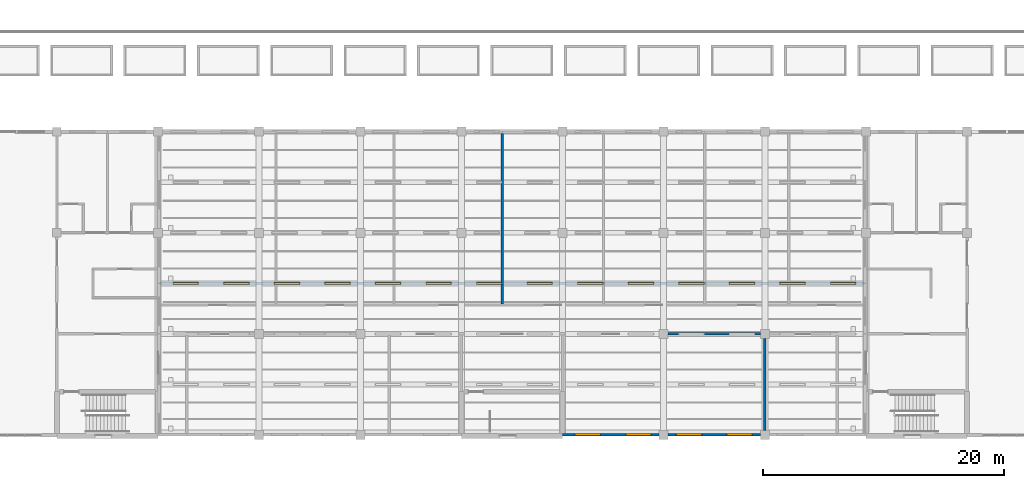
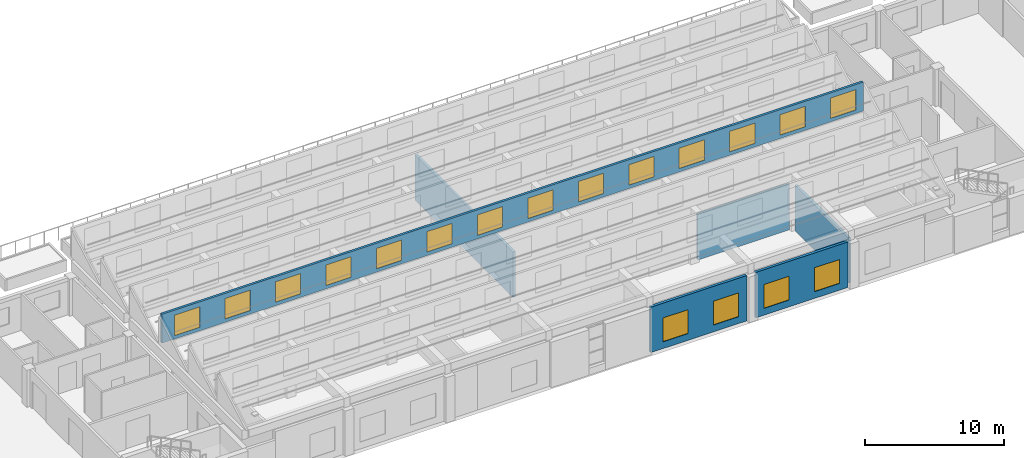
# One storey, part 35 of 61: 18 windows, 6 walls, 18 openings.
"""IFC4 building model written with IfcOpenShell, lengths in metres."""

from ifc_helpers import new_model, si_unit, direction, frame, frame_2d, origin, place, context, subcontext, project, spatial, rectangle, extrude, material, layer, layer_set, type_object, element, fill, save


model = new_model("IFC4")

# Units and contexts
model_context = context("Model", 3, precision=1e-05, world=origin(), true_north=direction((0.0, 1.0)))
body_context = subcontext(model_context, "Body", "Model", "MODEL_VIEW")
ifc_project = project(units=[si_unit("LENGTHUNIT", "METRE"), si_unit("AREAUNIT", "SQUARE_METRE"), si_unit("VOLUMEUNIT", "CUBIC_METRE"), si_unit("PLANEANGLEUNIT", "RADIAN"), si_unit("MASSUNIT", "GRAM", prefix="KILO")], contexts=[model_context])

# Site, building, storey
site_placement = place(None, origin())
site = spatial("IfcSite", under=ifc_project, at=site_placement, CompositionType="ELEMENT")
building_placement = place(site_placement, origin())
building = spatial("IfcBuilding", under=site, at=building_placement, Name="Yavir Park General Hospital", CompositionType="ELEMENT")
storey_placement = place(building_placement, frame((0.0, 0.0, 15.300048828125)))
storey = spatial("IfcBuildingStorey", under=building, at=storey_placement, Name="L03", CompositionType="ELEMENT", Elevation=15.300048828125)

# Walls
ifc_material_1 = material(Name="Double gypsum board fire partition on steel studs", Category="steel")
ifc_layer_1 = layer(ifc_material_1, 0.199951171875)
ifc_layer_set_1 = layer_set([ifc_layer_1], Name="Double gypsum board fire partition on steel studs")
wall_type_1 = type_object("IfcWallType", Name="Fire-rated partition 200, EI 60", PredefinedType="PARTITIONING", material=ifc_layer_set_1)
wall_1_placement = place(storey_placement, frame((84.375, 8.39990234375, 0.0), z_axis=(0.0, 0.0, 1.0), x_axis=(1.0, 0.0, 0.0)))
element("IfcWall", 1, at=wall_1_placement, inside=storey, type_object=wall_type_1, Name="FP20 L03-021", PredefinedType="PARTITIONING", context=body_context, shape_type="SweptSolid", body=[
    extrude(rectangle(XDim=7.64990234375, YDim=0.199951171875, at=frame_2d((3.824951171875, 0.0))), origin(), (0.0, 0.0, 1.0), 4.0),
])
wall_2_placement = place(storey_placement, frame((70.60009765625, 10.89990234375, 0.0), z_axis=(0.0, 0.0, 1.0), x_axis=(0.0, 1.0, 0.0)))
element("IfcWall", 2, at=wall_2_placement, inside=storey, type_object=wall_type_1, Name="FP20 L03-235", PredefinedType="PARTITIONING", context=body_context, shape_type="SweptSolid", body=[
    extrude(rectangle(XDim=14.150146484375, YDim=0.199951171875, at=frame_2d((7.0751953125, 0.0))), origin(), (0.0, 0.0, 1.0), 4.0),
])
wall_3_placement = place(storey_placement, frame((92.39990234375, 0.375, 0.0), z_axis=(0.0, 0.0, 1.0), x_axis=(0.0, 1.0, 0.0)))
element("IfcWall", 3, at=wall_3_placement, inside=storey, type_object=wall_type_1, Name="FP20 L03-240", PredefinedType="PARTITIONING", context=body_context, shape_type="SweptSolid", body=[
    extrude(rectangle(XDim=7.64990234375, YDim=0.199951171875, at=frame_2d((3.824951171875, 0.0))), origin(), (0.0, 0.0, 1.0), 4.0),
])

# Wall, openings, windows
ifc_material_2 = material(Name="Insulated sheet steel panels on a Steel S355 subframe", Category="steel")
ifc_layer_2 = layer(ifc_material_2, 0.22509765625)
ifc_layer_set_2 = layer_set([ifc_layer_2], Name="Insulated sheet steel panels on a Steel S355 subframe")
wall_type_2 = type_object("IfcWallType", Name="Louvred plant wall 225, E 30", PredefinedType="SOLIDWALL", material=ifc_layer_set_2)
wall_4_placement = place(storey_placement, frame((75.60009765625, 0.03759765625, 0.0), z_axis=(0.0, 0.0, 1.0), x_axis=(1.0, 0.0, 0.0)))
wall_4 = element("IfcWall", 4, at=wall_4_placement, inside=storey, type_object=wall_type_2, Name="XW4 L03-021", PredefinedType="SOLIDWALL", context=body_context, shape_type="SweptSolid", body=[
    extrude(rectangle(XDim=8.02490234375, YDim=0.22509765625, at=frame_2d((4.012451171875, 0.0))), origin(), (0.0, 0.0, 1.0), 4.0),
])
opening_1_placement = place(wall_4_placement, frame((1.050048828125, 0.0, 0.60009765625)))
opening_1 = element("IfcOpeningElement", 5, at=opening_1_placement, cuts=wall_4, Name="Opening LV2", PredefinedType="OPENING", context=body_context, shape_type="SweptSolid", body=[
    extrude(rectangle(XDim=2.10009765625, YDim=2.10009765625, at=frame_2d((1.050048828125, 1.050048828125))), frame((0.0, 0.12255859375, 0.0), z_axis=(0.0, -1.0, 0.0), x_axis=(1.0, 0.0, 0.0)), (0.0, 0.0, 1.0), 0.2451171875),
])
opening_2_placement = place(wall_4_placement, frame((5.25, 0.0, 0.60009765625)))
opening_2 = element("IfcOpeningElement", 6, at=opening_2_placement, cuts=wall_4, Name="Opening LV2", PredefinedType="OPENING", context=body_context, shape_type="SweptSolid", body=[
    extrude(rectangle(XDim=2.10009765625, YDim=2.10009765625, at=frame_2d((1.050048828125, 1.050048828125))), frame((0.0, 0.12255859375, 0.0), z_axis=(0.0, -1.0, 0.0), x_axis=(1.0, 0.0, 0.0)), (0.0, 0.0, 1.0), 0.2451171875),
])
ifc_material_3 = material(Name="Anodised aluminium louvre blades in a deep frame", Category="aluminium")
window_type_1 = type_object("IfcWindowType", Name="Tall plant louvre 2100 x 2100", PartitioningType="SINGLE_PANEL", PredefinedType="WINDOW", material=ifc_material_3)
window_1_placement = place(opening_1_placement, origin())
window_1 = element("IfcWindow", 7, at=window_1_placement, inside=storey, type_object=window_type_1, Name="LV2 L03-010", OverallHeight=2.10009765625, OverallWidth=2.10009765625, PartitioningType="SINGLE_PANEL", PredefinedType="WINDOW", context=body_context, shape_type="SweptSolid", body=[
    extrude(rectangle(XDim=2.10009765625, YDim=2.10009765625, at=frame_2d((1.050048828125, 1.050048828125))), frame((0.0, 0.074951171875, 0.0), z_axis=(0.0, -1.0, 0.0), x_axis=(1.0, 0.0, 0.0)), (0.0, 0.0, 1.0), 0.14990234375),
])
fill(opening_1, window_1)
window_2_placement = place(opening_2_placement, origin())
window_2 = element("IfcWindow", 8, at=window_2_placement, inside=storey, type_object=window_type_1, Name="LV2 L03-011", OverallHeight=2.10009765625, OverallWidth=2.10009765625, PartitioningType="SINGLE_PANEL", PredefinedType="WINDOW", context=body_context, shape_type="SweptSolid", body=[
    extrude(rectangle(XDim=2.10009765625, YDim=2.10009765625, at=frame_2d((1.050048828125, 1.050048828125))), frame((0.0, 0.074951171875, 0.0), z_axis=(0.0, -1.0, 0.0), x_axis=(1.0, 0.0, 0.0)), (0.0, 0.0, 1.0), 0.14990234375),
])
fill(opening_2, window_2)

wall_5_placement = place(storey_placement, frame((84.375, 0.03759765625, 0.0), z_axis=(0.0, 0.0, 1.0), x_axis=(1.0, 0.0, 0.0)))
wall_5 = element("IfcWall", 9, at=wall_5_placement, inside=storey, type_object=wall_type_2, Name="XW4 L03-022", PredefinedType="SOLIDWALL", context=body_context, shape_type="SweptSolid", body=[
    extrude(rectangle(XDim=7.64990234375, YDim=0.22509765625, at=frame_2d((3.824951171875, 0.0))), origin(), (0.0, 0.0, 1.0), 4.0),
])
opening_3_placement = place(wall_5_placement, frame((0.675048828125, 0.0, 0.60009765625)))
opening_3 = element("IfcOpeningElement", 10, at=opening_3_placement, cuts=wall_5, Name="Opening LV2", PredefinedType="OPENING", context=body_context, shape_type="SweptSolid", body=[
    extrude(rectangle(XDim=2.10009765625, YDim=2.10009765625, at=frame_2d((1.050048828125, 1.050048828125))), frame((0.0, 0.12255859375, 0.0), z_axis=(0.0, -1.0, 0.0), x_axis=(1.0, 0.0, 0.0)), (0.0, 0.0, 1.0), 0.2451171875),
])
opening_4_placement = place(wall_5_placement, frame((4.875, 0.0, 0.60009765625)))
opening_4 = element("IfcOpeningElement", 11, at=opening_4_placement, cuts=wall_5, Name="Opening LV2", PredefinedType="OPENING", context=body_context, shape_type="SweptSolid", body=[
    extrude(rectangle(XDim=2.10009765625, YDim=2.10009765625, at=frame_2d((1.050048828125, 1.050048828125))), frame((0.0, 0.12255859375, 0.0), z_axis=(0.0, -1.0, 0.0), x_axis=(1.0, 0.0, 0.0)), (0.0, 0.0, 1.0), 0.2451171875),
])
window_3_placement = place(opening_3_placement, origin())
window_3 = element("IfcWindow", 12, at=window_3_placement, inside=storey, type_object=window_type_1, Name="LV2 L03-012", OverallHeight=2.10009765625, OverallWidth=2.10009765625, PartitioningType="SINGLE_PANEL", PredefinedType="WINDOW", context=body_context, shape_type="SweptSolid", body=[
    extrude(rectangle(XDim=2.10009765625, YDim=2.10009765625, at=frame_2d((1.050048828125, 1.050048828125))), frame((0.0, 0.074951171875, 0.0), z_axis=(0.0, -1.0, 0.0), x_axis=(1.0, 0.0, 0.0)), (0.0, 0.0, 1.0), 0.14990234375),
])
fill(opening_3, window_3)
window_4_placement = place(opening_4_placement, origin())
window_4 = element("IfcWindow", 13, at=window_4_placement, inside=storey, type_object=window_type_1, Name="LV2 L03-013", OverallHeight=2.10009765625, OverallWidth=2.10009765625, PartitioningType="SINGLE_PANEL", PredefinedType="WINDOW", context=body_context, shape_type="SweptSolid", body=[
    extrude(rectangle(XDim=2.10009765625, YDim=2.10009765625, at=frame_2d((1.050048828125, 1.050048828125))), frame((0.0, 0.074951171875, 0.0), z_axis=(0.0, -1.0, 0.0), x_axis=(1.0, 0.0, 0.0)), (0.0, 0.0, 1.0), 0.14990234375),
])
fill(opening_4, window_4)

ifc_material_4 = material(Name="Concrete C30/37 upstand with 80 mm mineral wool insulation", Category="concrete")
ifc_layer_3 = layer(ifc_material_4, 0.199951171875)
ifc_layer_set_3 = layer_set([ifc_layer_3], Name="Concrete C30/37 upstand with 80 mm mineral wool insulation")
wall_type_3 = type_object("IfcWallType", Name="Reinforced concrete louvre upstand wall 200, E 30", PredefinedType="SOLIDWALL", material=ifc_layer_set_3)
wall_6_placement = place(storey_placement, frame((42.2099609375, 12.60009765625, 4.904052734375), z_axis=(0.0, 0.0, 1.0), x_axis=(1.0, 0.0, 0.0)))
wall_6 = element("IfcWall", 14, at=wall_6_placement, inside=storey, type_object=wall_type_3, Name="XW11 L03-S03", PredefinedType="SOLIDWALL", context=body_context, shape_type="SweptSolid", body=[
    extrude(rectangle(XDim=58.380126953125, YDim=0.199951171875, at=frame_2d((29.18994140625, 0.0))), origin(), (0.0, 0.0, 1.0), 2.538818359375),
])
opening_5_placement = place(wall_6_placement, frame((1.050048828125, 0.0, 0.300048828125)))
opening_5 = element("IfcOpeningElement", 15, at=opening_5_placement, cuts=wall_6, Name="Opening LV5", PredefinedType="OPENING", context=body_context, shape_type="SweptSolid", body=[
    extrude(rectangle(XDim=2.10009765625, YDim=1.800048828125, at=frame_2d((1.050048828125, 0.89990234375))), frame((0.0, 0.10986328125, 0.0), z_axis=(0.0, -1.0, 0.0), x_axis=(1.0, 0.0, 0.0)), (0.0, 0.0, 1.0), 0.219970703125),
])
opening_6_placement = place(wall_6_placement, frame((5.25, 0.0, 0.300048828125)))
opening_6 = element("IfcOpeningElement", 16, at=opening_6_placement, cuts=wall_6, Name="Opening LV5", PredefinedType="OPENING", context=body_context, shape_type="SweptSolid", body=[
    extrude(rectangle(XDim=2.10009765625, YDim=1.800048828125, at=frame_2d((1.050048828125, 0.89990234375))), frame((0.0, 0.10986328125, 0.0), z_axis=(0.0, -1.0, 0.0), x_axis=(1.0, 0.0, 0.0)), (0.0, 0.0, 1.0), 0.219970703125),
])
opening_7_placement = place(wall_6_placement, frame((9.449951171875, 0.0, 0.300048828125)))
opening_7 = element("IfcOpeningElement", 17, at=opening_7_placement, cuts=wall_6, Name="Opening LV5", PredefinedType="OPENING", context=body_context, shape_type="SweptSolid", body=[
    extrude(rectangle(XDim=2.10009765625, YDim=1.800048828125, at=frame_2d((1.050048828125, 0.89990234375))), frame((0.0, 0.10986328125, 0.0), z_axis=(0.0, -1.0, 0.0), x_axis=(1.0, 0.0, 0.0)), (0.0, 0.0, 1.0), 0.219970703125),
])
opening_8_placement = place(wall_6_placement, frame((13.64990234375, 0.0, 0.300048828125)))
opening_8 = element("IfcOpeningElement", 18, at=opening_8_placement, cuts=wall_6, Name="Opening LV5", PredefinedType="OPENING", context=body_context, shape_type="SweptSolid", body=[
    extrude(rectangle(XDim=2.10009765625, YDim=1.800048828125, at=frame_2d((1.050048828125, 0.89990234375))), frame((0.0, 0.10986328125, 0.0), z_axis=(0.0, -1.0, 0.0), x_axis=(1.0, 0.0, 0.0)), (0.0, 0.0, 1.0), 0.219970703125),
])
opening_9_placement = place(wall_6_placement, frame((17.85009765625, 0.0, 0.300048828125)))
opening_9 = element("IfcOpeningElement", 19, at=opening_9_placement, cuts=wall_6, Name="Opening LV5", PredefinedType="OPENING", context=body_context, shape_type="SweptSolid", body=[
    extrude(rectangle(XDim=2.10009765625, YDim=1.800048828125, at=frame_2d((1.050048828125, 0.89990234375))), frame((0.0, 0.10986328125, 0.0), z_axis=(0.0, -1.0, 0.0), x_axis=(1.0, 0.0, 0.0)), (0.0, 0.0, 1.0), 0.219970703125),
])
opening_10_placement = place(wall_6_placement, frame((22.050048828125, 0.0, 0.300048828125)))
opening_10 = element("IfcOpeningElement", 20, at=opening_10_placement, cuts=wall_6, Name="Opening LV5", PredefinedType="OPENING", context=body_context, shape_type="SweptSolid", body=[
    extrude(rectangle(XDim=2.10009765625, YDim=1.800048828125, at=frame_2d((1.050048828125, 0.89990234375))), frame((0.0, 0.10986328125, 0.0), z_axis=(0.0, -1.0, 0.0), x_axis=(1.0, 0.0, 0.0)), (0.0, 0.0, 1.0), 0.219970703125),
])
opening_11_placement = place(wall_6_placement, frame((26.25, 0.0, 0.300048828125)))
opening_11 = element("IfcOpeningElement", 21, at=opening_11_placement, cuts=wall_6, Name="Opening LV5", PredefinedType="OPENING", context=body_context, shape_type="SweptSolid", body=[
    extrude(rectangle(XDim=2.10009765625, YDim=1.800048828125, at=frame_2d((1.050048828125, 0.89990234375))), frame((0.0, 0.10986328125, 0.0), z_axis=(0.0, -1.0, 0.0), x_axis=(1.0, 0.0, 0.0)), (0.0, 0.0, 1.0), 0.219970703125),
])
opening_12_placement = place(wall_6_placement, frame((30.449951171875, 0.0, 0.300048828125)))
opening_12 = element("IfcOpeningElement", 22, at=opening_12_placement, cuts=wall_6, Name="Opening LV5", PredefinedType="OPENING", context=body_context, shape_type="SweptSolid", body=[
    extrude(rectangle(XDim=2.10009765625, YDim=1.800048828125, at=frame_2d((1.050048828125, 0.89990234375))), frame((0.0, 0.10986328125, 0.0), z_axis=(0.0, -1.0, 0.0), x_axis=(1.0, 0.0, 0.0)), (0.0, 0.0, 1.0), 0.219970703125),
])
opening_13_placement = place(wall_6_placement, frame((34.64990234375, 0.0, 0.300048828125)))
opening_13 = element("IfcOpeningElement", 23, at=opening_13_placement, cuts=wall_6, Name="Opening LV5", PredefinedType="OPENING", context=body_context, shape_type="SweptSolid", body=[
    extrude(rectangle(XDim=2.10009765625, YDim=1.800048828125, at=frame_2d((1.050048828125, 0.89990234375))), frame((0.0, 0.10986328125, 0.0), z_axis=(0.0, -1.0, 0.0), x_axis=(1.0, 0.0, 0.0)), (0.0, 0.0, 1.0), 0.219970703125),
])
opening_14_placement = place(wall_6_placement, frame((38.85009765625, 0.0, 0.300048828125)))
opening_14 = element("IfcOpeningElement", 24, at=opening_14_placement, cuts=wall_6, Name="Opening LV5", PredefinedType="OPENING", context=body_context, shape_type="SweptSolid", body=[
    extrude(rectangle(XDim=2.10009765625, YDim=1.800048828125, at=frame_2d((1.050048828125, 0.89990234375))), frame((0.0, 0.10986328125, 0.0), z_axis=(0.0, -1.0, 0.0), x_axis=(1.0, 0.0, 0.0)), (0.0, 0.0, 1.0), 0.219970703125),
])
opening_15_placement = place(wall_6_placement, frame((43.050048828125, 0.0, 0.300048828125)))
opening_15 = element("IfcOpeningElement", 25, at=opening_15_placement, cuts=wall_6, Name="Opening LV5", PredefinedType="OPENING", context=body_context, shape_type="SweptSolid", body=[
    extrude(rectangle(XDim=2.10009765625, YDim=1.800048828125, at=frame_2d((1.050048828125, 0.89990234375))), frame((0.0, 0.10986328125, 0.0), z_axis=(0.0, -1.0, 0.0), x_axis=(1.0, 0.0, 0.0)), (0.0, 0.0, 1.0), 0.219970703125),
])
opening_16_placement = place(wall_6_placement, frame((47.25, 0.0, 0.300048828125)))
opening_16 = element("IfcOpeningElement", 26, at=opening_16_placement, cuts=wall_6, Name="Opening LV5", PredefinedType="OPENING", context=body_context, shape_type="SweptSolid", body=[
    extrude(rectangle(XDim=2.10009765625, YDim=1.800048828125, at=frame_2d((1.050048828125, 0.89990234375))), frame((0.0, 0.10986328125, 0.0), z_axis=(0.0, -1.0, 0.0), x_axis=(1.0, 0.0, 0.0)), (0.0, 0.0, 1.0), 0.219970703125),
])
opening_17_placement = place(wall_6_placement, frame((51.449951171875, 0.0, 0.300048828125)))
opening_17 = element("IfcOpeningElement", 27, at=opening_17_placement, cuts=wall_6, Name="Opening LV5", PredefinedType="OPENING", context=body_context, shape_type="SweptSolid", body=[
    extrude(rectangle(XDim=2.10009765625, YDim=1.800048828125, at=frame_2d((1.050048828125, 0.89990234375))), frame((0.0, 0.10986328125, 0.0), z_axis=(0.0, -1.0, 0.0), x_axis=(1.0, 0.0, 0.0)), (0.0, 0.0, 1.0), 0.219970703125),
])
opening_18_placement = place(wall_6_placement, frame((55.64990234375, 0.0, 0.300048828125)))
opening_18 = element("IfcOpeningElement", 28, at=opening_18_placement, cuts=wall_6, Name="Opening LV5", PredefinedType="OPENING", context=body_context, shape_type="SweptSolid", body=[
    extrude(rectangle(XDim=2.10009765625, YDim=1.800048828125, at=frame_2d((1.050048828125, 0.89990234375))), frame((0.0, 0.10986328125, 0.0), z_axis=(0.0, -1.0, 0.0), x_axis=(1.0, 0.0, 0.0)), (0.0, 0.0, 1.0), 0.219970703125),
])
ifc_material_5 = material(Name="Anodised aluminium louvre blades in a deep frame", Category="aluminium")
window_type_2 = type_object("IfcWindowType", Name="Sawtooth louvre 2100 x 1800", PartitioningType="SINGLE_PANEL", PredefinedType="WINDOW", material=ifc_material_5)
window_5_placement = place(opening_5_placement, origin())
window_5 = element("IfcWindow", 29, at=window_5_placement, inside=storey, type_object=window_type_2, Name="LV5 L03-S03-01", OverallHeight=1.800048828125, OverallWidth=2.10009765625, PartitioningType="SINGLE_PANEL", PredefinedType="WINDOW", context=body_context, shape_type="SweptSolid", body=[
    extrude(rectangle(XDim=2.10009765625, YDim=1.800048828125, at=frame_2d((1.050048828125, 0.89990234375))), frame((0.0, 0.074951171875, 0.0), z_axis=(0.0, -1.0, 0.0), x_axis=(1.0, 0.0, 0.0)), (0.0, 0.0, 1.0), 0.14990234375),
])
fill(opening_5, window_5)
window_6_placement = place(opening_6_placement, origin())
window_6 = element("IfcWindow", 30, at=window_6_placement, inside=storey, type_object=window_type_2, Name="LV5 L03-S03-02", OverallHeight=1.800048828125, OverallWidth=2.10009765625, PartitioningType="SINGLE_PANEL", PredefinedType="WINDOW", context=body_context, shape_type="SweptSolid", body=[
    extrude(rectangle(XDim=2.10009765625, YDim=1.800048828125, at=frame_2d((1.050048828125, 0.89990234375))), frame((0.0, 0.074951171875, 0.0), z_axis=(0.0, -1.0, 0.0), x_axis=(1.0, 0.0, 0.0)), (0.0, 0.0, 1.0), 0.14990234375),
])
fill(opening_6, window_6)
window_7_placement = place(opening_7_placement, origin())
window_7 = element("IfcWindow", 31, at=window_7_placement, inside=storey, type_object=window_type_2, Name="LV5 L03-S03-03", OverallHeight=1.800048828125, OverallWidth=2.10009765625, PartitioningType="SINGLE_PANEL", PredefinedType="WINDOW", context=body_context, shape_type="SweptSolid", body=[
    extrude(rectangle(XDim=2.10009765625, YDim=1.800048828125, at=frame_2d((1.050048828125, 0.89990234375))), frame((0.0, 0.074951171875, 0.0), z_axis=(0.0, -1.0, 0.0), x_axis=(1.0, 0.0, 0.0)), (0.0, 0.0, 1.0), 0.14990234375),
])
fill(opening_7, window_7)
window_8_placement = place(opening_8_placement, origin())
window_8 = element("IfcWindow", 32, at=window_8_placement, inside=storey, type_object=window_type_2, Name="LV5 L03-S03-04", OverallHeight=1.800048828125, OverallWidth=2.10009765625, PartitioningType="SINGLE_PANEL", PredefinedType="WINDOW", context=body_context, shape_type="SweptSolid", body=[
    extrude(rectangle(XDim=2.10009765625, YDim=1.800048828125, at=frame_2d((1.050048828125, 0.89990234375))), frame((0.0, 0.074951171875, 0.0), z_axis=(0.0, -1.0, 0.0), x_axis=(1.0, 0.0, 0.0)), (0.0, 0.0, 1.0), 0.14990234375),
])
fill(opening_8, window_8)
window_9_placement = place(opening_9_placement, origin())
window_9 = element("IfcWindow", 33, at=window_9_placement, inside=storey, type_object=window_type_2, Name="LV5 L03-S03-05", OverallHeight=1.800048828125, OverallWidth=2.10009765625, PartitioningType="SINGLE_PANEL", PredefinedType="WINDOW", context=body_context, shape_type="SweptSolid", body=[
    extrude(rectangle(XDim=2.10009765625, YDim=1.800048828125, at=frame_2d((1.050048828125, 0.89990234375))), frame((0.0, 0.074951171875, 0.0), z_axis=(0.0, -1.0, 0.0), x_axis=(1.0, 0.0, 0.0)), (0.0, 0.0, 1.0), 0.14990234375),
])
fill(opening_9, window_9)
window_10_placement = place(opening_10_placement, origin())
window_10 = element("IfcWindow", 34, at=window_10_placement, inside=storey, type_object=window_type_2, Name="LV5 L03-S03-06", OverallHeight=1.800048828125, OverallWidth=2.10009765625, PartitioningType="SINGLE_PANEL", PredefinedType="WINDOW", context=body_context, shape_type="SweptSolid", body=[
    extrude(rectangle(XDim=2.10009765625, YDim=1.800048828125, at=frame_2d((1.050048828125, 0.89990234375))), frame((0.0, 0.074951171875, 0.0), z_axis=(0.0, -1.0, 0.0), x_axis=(1.0, 0.0, 0.0)), (0.0, 0.0, 1.0), 0.14990234375),
])
fill(opening_10, window_10)
window_11_placement = place(opening_11_placement, origin())
window_11 = element("IfcWindow", 35, at=window_11_placement, inside=storey, type_object=window_type_2, Name="LV5 L03-S03-07", OverallHeight=1.800048828125, OverallWidth=2.10009765625, PartitioningType="SINGLE_PANEL", PredefinedType="WINDOW", context=body_context, shape_type="SweptSolid", body=[
    extrude(rectangle(XDim=2.10009765625, YDim=1.800048828125, at=frame_2d((1.050048828125, 0.89990234375))), frame((0.0, 0.074951171875, 0.0), z_axis=(0.0, -1.0, 0.0), x_axis=(1.0, 0.0, 0.0)), (0.0, 0.0, 1.0), 0.14990234375),
])
fill(opening_11, window_11)
window_12_placement = place(opening_12_placement, origin())
window_12 = element("IfcWindow", 36, at=window_12_placement, inside=storey, type_object=window_type_2, Name="LV5 L03-S03-08", OverallHeight=1.800048828125, OverallWidth=2.10009765625, PartitioningType="SINGLE_PANEL", PredefinedType="WINDOW", context=body_context, shape_type="SweptSolid", body=[
    extrude(rectangle(XDim=2.10009765625, YDim=1.800048828125, at=frame_2d((1.050048828125, 0.89990234375))), frame((0.0, 0.074951171875, 0.0), z_axis=(0.0, -1.0, 0.0), x_axis=(1.0, 0.0, 0.0)), (0.0, 0.0, 1.0), 0.14990234375),
])
fill(opening_12, window_12)
window_13_placement = place(opening_13_placement, origin())
window_13 = element("IfcWindow", 37, at=window_13_placement, inside=storey, type_object=window_type_2, Name="LV5 L03-S03-09", OverallHeight=1.800048828125, OverallWidth=2.10009765625, PartitioningType="SINGLE_PANEL", PredefinedType="WINDOW", context=body_context, shape_type="SweptSolid", body=[
    extrude(rectangle(XDim=2.10009765625, YDim=1.800048828125, at=frame_2d((1.050048828125, 0.89990234375))), frame((0.0, 0.074951171875, 0.0), z_axis=(0.0, -1.0, 0.0), x_axis=(1.0, 0.0, 0.0)), (0.0, 0.0, 1.0), 0.14990234375),
])
fill(opening_13, window_13)
window_14_placement = place(opening_14_placement, origin())
window_14 = element("IfcWindow", 38, at=window_14_placement, inside=storey, type_object=window_type_2, Name="LV5 L03-S03-10", OverallHeight=1.800048828125, OverallWidth=2.10009765625, PartitioningType="SINGLE_PANEL", PredefinedType="WINDOW", context=body_context, shape_type="SweptSolid", body=[
    extrude(rectangle(XDim=2.10009765625, YDim=1.800048828125, at=frame_2d((1.050048828125, 0.89990234375))), frame((0.0, 0.074951171875, 0.0), z_axis=(0.0, -1.0, 0.0), x_axis=(1.0, 0.0, 0.0)), (0.0, 0.0, 1.0), 0.14990234375),
])
fill(opening_14, window_14)
window_15_placement = place(opening_15_placement, origin())
window_15 = element("IfcWindow", 39, at=window_15_placement, inside=storey, type_object=window_type_2, Name="LV5 L03-S03-11", OverallHeight=1.800048828125, OverallWidth=2.10009765625, PartitioningType="SINGLE_PANEL", PredefinedType="WINDOW", context=body_context, shape_type="SweptSolid", body=[
    extrude(rectangle(XDim=2.10009765625, YDim=1.800048828125, at=frame_2d((1.050048828125, 0.89990234375))), frame((0.0, 0.074951171875, 0.0), z_axis=(0.0, -1.0, 0.0), x_axis=(1.0, 0.0, 0.0)), (0.0, 0.0, 1.0), 0.14990234375),
])
fill(opening_15, window_15)
window_16_placement = place(opening_16_placement, origin())
window_16 = element("IfcWindow", 40, at=window_16_placement, inside=storey, type_object=window_type_2, Name="LV5 L03-S03-12", OverallHeight=1.800048828125, OverallWidth=2.10009765625, PartitioningType="SINGLE_PANEL", PredefinedType="WINDOW", context=body_context, shape_type="SweptSolid", body=[
    extrude(rectangle(XDim=2.10009765625, YDim=1.800048828125, at=frame_2d((1.050048828125, 0.89990234375))), frame((0.0, 0.074951171875, 0.0), z_axis=(0.0, -1.0, 0.0), x_axis=(1.0, 0.0, 0.0)), (0.0, 0.0, 1.0), 0.14990234375),
])
fill(opening_16, window_16)
window_17_placement = place(opening_17_placement, origin())
window_17 = element("IfcWindow", 41, at=window_17_placement, inside=storey, type_object=window_type_2, Name="LV5 L03-S03-13", OverallHeight=1.800048828125, OverallWidth=2.10009765625, PartitioningType="SINGLE_PANEL", PredefinedType="WINDOW", context=body_context, shape_type="SweptSolid", body=[
    extrude(rectangle(XDim=2.10009765625, YDim=1.800048828125, at=frame_2d((1.050048828125, 0.89990234375))), frame((0.0, 0.074951171875, 0.0), z_axis=(0.0, -1.0, 0.0), x_axis=(1.0, 0.0, 0.0)), (0.0, 0.0, 1.0), 0.14990234375),
])
fill(opening_17, window_17)
window_18_placement = place(opening_18_placement, origin())
window_18 = element("IfcWindow", 42, at=window_18_placement, inside=storey, type_object=window_type_2, Name="LV5 L03-S03-14", OverallHeight=1.800048828125, OverallWidth=2.10009765625, PartitioningType="SINGLE_PANEL", PredefinedType="WINDOW", context=body_context, shape_type="SweptSolid", body=[
    extrude(rectangle(XDim=2.10009765625, YDim=1.800048828125, at=frame_2d((1.050048828125, 0.89990234375))), frame((0.0, 0.074951171875, 0.0), z_axis=(0.0, -1.0, 0.0), x_axis=(1.0, 0.0, 0.0)), (0.0, 0.0, 1.0), 0.14990234375),
])
fill(opening_18, window_18)

save(model, "model.ifc")
